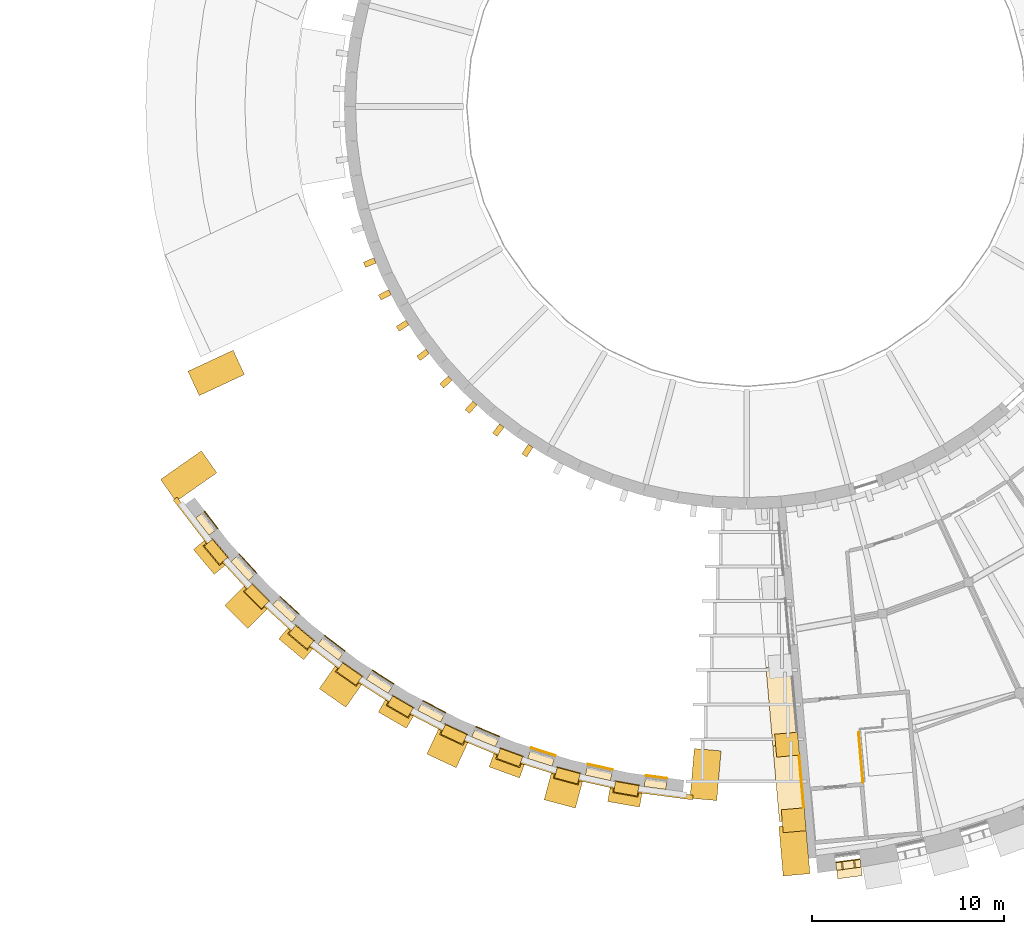
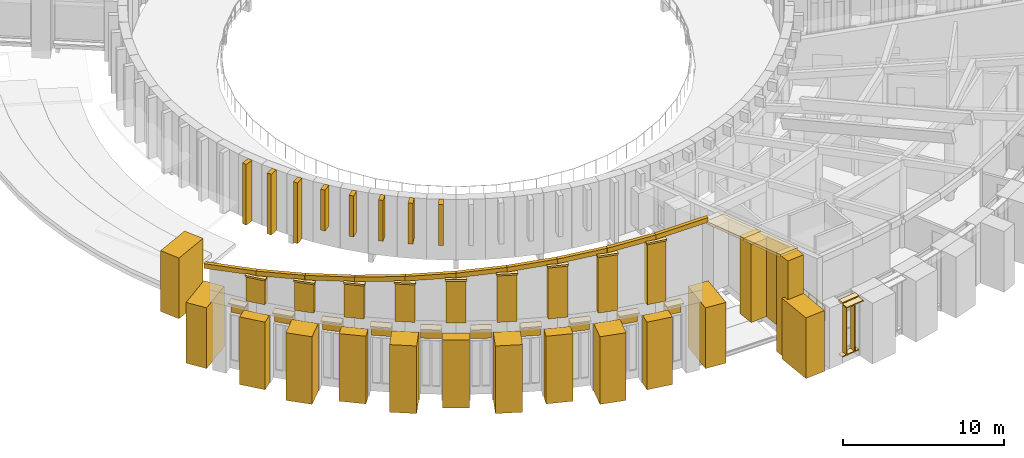
# One storey, part 35 of 50: 79 coverings, 1 railing.
"""IFC4 building model written with IfcOpenShell, lengths in metres."""

from ifc_helpers import new_model, si_unit, direction, frame, origin, origin_2d, place, context, subcontext, project, spatial, polyline, rectangle, circle, outline, extrude, material, layer, layer_set, type_object, element, save


model = new_model("IFC4")

# Units and contexts
model_context = context("Model", 3, precision=1e-05, world=origin(), true_north=direction((0.0, 1.0)))
body_context = subcontext(model_context, "Body", "Model", "MODEL_VIEW")
ifc_project = project(units=[si_unit("LENGTHUNIT", "METRE"), si_unit("AREAUNIT", "SQUARE_METRE"), si_unit("VOLUMEUNIT", "CUBIC_METRE"), si_unit("PLANEANGLEUNIT", "RADIAN"), si_unit("MASSUNIT", "GRAM", prefix="KILO")], contexts=[model_context])

# Site, building, storey
site_placement = place(None, origin())
site = spatial("IfcSite", under=ifc_project, at=site_placement, CompositionType="ELEMENT")
building_placement = place(site_placement, origin())
building = spatial("IfcBuilding", under=site, at=building_placement, Name="Volute Hill Aquarium", CompositionType="ELEMENT")
storey_placement = place(building_placement, frame((0.0, 0.0, 9.199951171875)))
storey = spatial("IfcBuildingStorey", under=building, at=storey_placement, Name="L03", CompositionType="ELEMENT", Elevation=9.199951171875)

# Coverings
ifc_material_1 = material(Name="Precast concrete C40/50", Category="concrete")
covering_type_1 = type_object("IfcCoveringType", Name="Crown coping beam precast concrete C40/50 250x350", PredefinedType="CLADDING", material=ifc_material_1)
covering_1_placement = place(storey_placement, frame((-27.773681640625, -23.312255859375, 7.984619140625), z_axis=(-0.737295574445, -0.67557030419, 0.0), x_axis=(0.671633922183, -0.73299953447, 0.107794049187)))
element("IfcCovering", 1, at=covering_1_placement, inside=storey, type_object=covering_type_1, Name="Crown coping beam PCB S2 b01", PredefinedType="CLADDING", context=body_context, shape_type="SweptSolid", body=[
    extrude(outline(polyline([(0.0, 0.0), (3.1708325049357056, 0.0), (3.2085709489136858, 0.3480577233130505), (0.037712127071440296, 0.34781500523542636), (0.0, 0.0)])), origin(), (0.0, 0.0, -1.0), 0.25),
])
covering_2_placement = place(storey_placement, frame((-25.636474609375, -25.64404296875, 8.326416015625), z_axis=(-0.67557030419, -0.737295574445, 0.0), x_axis=(0.732993448709, -0.671628345912, 0.107870149332)))
element("IfcCovering", 2, at=covering_2_placement, inside=storey, type_object=covering_type_1, Name="Crown coping beam PCB S2 b02", PredefinedType="CLADDING", context=body_context, shape_type="SweptSolid", body=[
    extrude(outline(polyline([(0.0, 0.0), (3.170858831131852, 0.0), (3.2086239175923357, 0.3480548335483582), (0.037765086460483516, 0.3480548335483582), (0.0, 0.0)])), origin(), (0.0, 0.0, -1.0), 0.25),
])
covering_3_placement = place(storey_placement, frame((-23.303955078125, -27.78076171875, 8.66845703125), z_axis=(-0.608737169464, -0.793371954706, 0.0), x_axis=(0.788749116674, -0.605190165664, 0.107794685996)))
element("IfcCovering", 3, at=covering_3_placement, inside=storey, type_object=covering_type_1, Name="Crown coping beam PCB S2 b03", PredefinedType="CLADDING", context=body_context, shape_type="SweptSolid", body=[
    extrude(outline(polyline([(0.0, 0.0), (3.170813772882256, -5.551115123125783e-17), (3.2085524398057004, 0.34805769913993345), (0.03773866692344462, 0.3480576991399335), (0.0, 0.0)])), origin(), (0.0, 0.0, -1.0), 0.25),
])
covering_4_placement = place(storey_placement, frame((-20.7939453125, -29.7060546875, 9.01025390625), z_axis=(-0.537281308725, -0.843403103679, 0.0), x_axis=(0.838482676216, -0.534146800807, 0.107861007197)))
element("IfcCovering", 4, at=covering_4_placement, inside=storey, type_object=covering_type_1, Name="Crown coping beam PCB S2 b04", PredefinedType="CLADDING", context=body_context, shape_type="SweptSolid", body=[
    extrude(outline(polyline([(0.0, 0.0), (3.171127588317578, 0.0), (3.2088894741378877, 0.34805518081338344), (0.03776188582030961, 0.3480551808133835), (0.0, 0.0)])), origin(), (0.0, 0.0, -1.0), 0.25),
])
covering_5_placement = place(storey_placement, frame((-18.12548828125, -31.4052734375, 9.352294921875), z_axis=(-0.461774507982, -0.886997352746, 0.0), x_axis=(0.881822649864, -0.459080536157, 0.107860444601)))
element("IfcCovering", 5, at=covering_5_placement, inside=storey, type_object=covering_type_1, Name="Crown coping beam PCB S2 b05", PredefinedType="CLADDING", context=body_context, shape_type="SweptSolid", body=[
    extrude(outline(polyline([(0.0, 0.0), (3.1711441287906896, 0.0), (3.2088794845312014, 0.34781248586315755), (0.03776168885686938, 0.3480552021826713), (0.0, 0.0)])), origin(), (0.0, 0.0, -1.0), 0.25),
])
covering_6_placement = place(storey_placement, frame((-15.3193359375, -32.86572265625, 9.6943359375), z_axis=(-0.382673279343, -0.923883737965, 0.0), x_axis=(0.918500283172, -0.380443448667, 0.107796160319)))
element("IfcCovering", 6, at=covering_6_placement, inside=storey, type_object=covering_type_1, Name="Crown coping beam PCB S2 b06", PredefinedType="CLADDING", context=body_context, shape_type="SweptSolid", body=[
    extrude(outline(polyline([(0.0, 0.0), (3.170770405827078, 5.551115123125783e-17), (3.208509588907368, 0.3480576431744827), (0.03771286565833744, 0.34781492515274315), (0.0, 0.0)])), origin(), (0.0, 0.0, -1.0), 0.25),
])
covering_7_placement = place(storey_placement, frame((-12.396728515625, -34.07568359375, 10.0361328125), z_axis=(-0.300712520585, -0.953714831574, 0.0), x_axis=(0.948150419924, -0.298958025218, 0.107865102583)))
element("IfcCovering", 7, at=covering_7_placement, inside=storey, type_object=covering_type_1, Name="Crown coping beam PCB S2 b07", PredefinedType="CLADDING", context=body_context, shape_type="SweptSolid", body=[
    extrude(outline(polyline([(0.0, 0.0), (3.1710071879900616, -5.551115123125783e-17), (3.2087441733420885, 0.34781230905721705), (0.037763319605586924, 0.3480550252533491), (0.0, 0.0)])), origin(), (0.0, 0.0, -1.0), 0.25),
])
covering_8_placement = place(storey_placement, frame((-9.379638671875, -35.026611328125, 10.378173828125), z_axis=(-0.216463020431, -0.976290817731, 0.0), x_axis=(0.970602283363, -0.215201759638, 0.107793367976)))
element("IfcCovering", 8, at=covering_8_placement, inside=storey, type_object=covering_type_1, Name="Crown coping beam PCB S2 b08", PredefinedType="CLADDING", context=body_context, shape_type="SweptSolid", body=[
    extrude(outline(polyline([(0.0, 0.0), (3.1708525433169394, 0.0), (3.2085907488046974, 0.3480577491714657), (0.03771188874752928, 0.34781503107580913), (0.0, 0.0)])), origin(), (0.0, 0.0, -1.0), 0.25),
])
covering_9_placement = place(storey_placement, frame((-27.58251953125, -23.151611328125, 7.984619140625), z_axis=(0.79337743611, 0.608730025439, 0.0), x_axis=(-0.605180867849, 0.788751704781, -0.107827943476)))
element("IfcCovering", 9, at=covering_9_placement, inside=storey, type_object=covering_type_1, Name="Crown coping beam PCB S2 bea", PredefinedType="CLADDING", context=body_context, shape_type="SweptSolid", body=[
    extrude(outline(polyline([(0.0, 0.0), (3.5230460700179997, 0.0), (3.485322084910431, 0.34781371931362354), (-0.03772398510756878, 0.34781371931362354), (0.0, 0.0)])), origin(), (0.0, 0.0, -1.0), 0.25),
])
covering_10_placement = place(storey_placement, frame((-6.291259765625, -35.7109375, 10.719970703125), z_axis=(-0.130492379433, -0.991449312325, 0.0), x_axis=(0.985668260734, -0.129731490128, 0.107832371068)))
element("IfcCovering", 10, at=covering_10_placement, inside=storey, type_object=covering_type_1, Name="Crown coping beam PCB S2 beb", PredefinedType="CLADDING", context=body_context, shape_type="SweptSolid", body=[
    extrude(outline(polyline([(0.0, 0.0), (3.5229014138978703, 0.0), (3.5606532742767154, 0.3480562683671699), (0.03775186037884506, 0.34805626836716985), (0.0, 0.0)])), origin(), (0.0, 0.0, -1.0), 0.25),
])
ifc_material_2 = material(Name="Precast pale concrete C40/50", Category="concrete")
covering_type_2 = type_object("IfcCoveringType", Name="Drum pier fin 300x600", PredefinedType="CLADDING", material=ifc_material_2)
for number, where, z_axis, x_axis, name in (
    (11, (-19.660400390625, -8.1435546875, 0.0), (0.0, 0.0, 1.0), (0.382683432365, -0.923879532511, 0.0), "Drum pier fin DF 41 L03"),
    (12, (-18.8759765625, -9.826171875, 0.0), (0.0, 0.0, 1.0), (0.461748613235, -0.887010833178, 0.0), "Drum pier fin DF 42 L03"),
    (13, (-17.947509765625, -11.433837890625, 0.0), (0.0, 0.0, 1.0), (0.537299608347, -0.843391445813, 0.0), "Drum pier fin DF 43 L03"),
):
    element("IfcCovering", number, at=place(storey_placement, frame(where, z_axis=z_axis, x_axis=x_axis)), inside=storey, type_object=covering_type_2, Name=name, PredefinedType="CLADDING", context=body_context, shape_type="SweptSolid", body=[
        extrude(rectangle(XDim=0.300048828125, YDim=0.60009765625, at=origin_2d()), origin(), (0.0, 0.0, 1.0), 4.60009765625),
    ])
for number, where, z_axis, x_axis, name in (
    (14, (-16.8828125, -12.95458984375, 1.5), (0.0, 0.0, 1.0), (0.608761429009, -0.793353340291, 0.0), "Drum pier fin DF 44 L03"),
    (15, (-15.689453125, -14.376708984375, 1.5), (0.0, 0.0, 1.0), (0.675590207616, -0.73727733681, 0.0), "Drum pier fin DF 45 L03"),
    (16, (-14.376708984375, -15.689453125, 1.5), (0.0, 0.0, 1.0), (0.73727733681, -0.675590207616, 0.0), "Drum pier fin DF 46 L03"),
    (17, (-12.95458984375, -16.8828125, 1.5), (0.0, 0.0, 1.0), (0.793353340291, -0.608761429009, 0.0), "Drum pier fin DF 47 L03"),
    (18, (-11.433837890625, -17.947509765625, 1.5), (0.0, 0.0, 1.0), (0.843391445813, -0.537299608347, 0.0), "Drum pier fin DF 48 L03"),
):
    element("IfcCovering", number, at=place(storey_placement, frame(where, z_axis=z_axis, x_axis=x_axis)), inside=storey, type_object=covering_type_2, Name=name, PredefinedType="CLADDING", context=body_context, shape_type="SweptSolid", body=[
        extrude(rectangle(XDim=0.300048828125, YDim=0.60009765625, at=origin_2d()), origin(), (0.0, 0.0, 1.0), 3.10009765625),
    ])
ifc_material_3 = material(Name="Precast concrete C40/50", Category="concrete")
covering_type_3 = type_object("IfcCoveringType", Name="End wall precast coping C40/50 1350x200", PredefinedType="CLADDING", material=ifc_material_3)
covering_11_placement = place(storey_placement, frame((1.00390625, -29.2587890625, 5.458984375), z_axis=(-0.996191588263, -0.087191280949, 0.0), x_axis=(0.084445892402, -0.96482454162, 0.248962838882)))
element("IfcCovering", 19, at=covering_11_placement, inside=storey, type_object=covering_type_3, Name="End wall coping EWC S3A L03 3", PredefinedType="CLADDING", context=body_context, shape_type="SweptSolid", body=[
    extrude(outline(polyline([(0.0, 0.0), (4.241228160256646, 0.0), (4.291008571644486, 0.19365531693254168), (0.049780411387840395, 0.1936553169325417), (0.0, 0.0)])), origin(), (0.0, 0.0, -1.0), 1.35009765625),
])
covering_12_placement = place(storey_placement, frame((1.362060546875, -33.350830078125, 6.514892578125), z_axis=(-0.996198804963, -0.087108788247, 0.0), x_axis=(0.084365735607, -0.964828540073, 0.248974518608)))
element("IfcCovering", 20, at=covering_12_placement, inside=storey, type_object=covering_type_3, Name="End wall coping EWC S3A L03 4", PredefinedType="CLADDING", context=body_context, shape_type="SweptSolid", body=[
    extrude(outline(polyline([(0.0, 0.0), (4.086096802445188, 0.0), (4.135940334002479, 0.19389116923900884), (0.0497827467627091, 0.19365471659359543), (0.0, 0.0)])), origin(), (0.0, 0.0, -1.0), 1.35009765625),
])
ifc_material_4 = material(Name="Precast concrete C40/50", Category="concrete")
covering_type_4 = type_object("IfcCoveringType", Name="End wall precast fin C40/50 1200x1200", PredefinedType="CLADDING", material=ifc_material_4)
covering_13_placement = place(storey_placement, frame((2.109130859375, -33.285400390625, 0.60009765625), z_axis=(0.0, 0.0, 1.0), x_axis=(0.0871544444, -0.996194811682, 0.0)))
element("IfcCovering", 21, at=covering_13_placement, inside=storey, type_object=covering_type_4, Name="End wall fin EWF S3A L03 4", PredefinedType="CLADDING", context=body_context, shape_type="SweptSolid", body=[
    extrude(rectangle(XDim=1.199951171875, YDim=1.199951171875, at=origin_2d()), origin(), (0.0, 0.0, 1.0), 5.914794921875),
])
covering_14_placement = place(storey_placement, frame((2.453857421875, -37.227783203125, 0.0), z_axis=(0.0, 0.0, 1.0), x_axis=(0.0871544444, -0.996194811682, 0.0)))
element("IfcCovering", 22, at=covering_14_placement, inside=storey, type_object=covering_type_4, Name="End wall fin EWF S3A L03 5", PredefinedType="CLADDING", context=body_context, shape_type="SweptSolid", body=[
    extrude(rectangle(XDim=1.199951171875, YDim=1.199951171875, at=origin_2d()), origin(), (0.0, 0.0, 1.0), 7.5322265625),
])
ifc_material_5 = material(Name="Precast concrete C40/50", Category="concrete")
ifc_layer_1 = layer(ifc_material_5, 0.050048828125)
ifc_layer_set_1 = layer_set([ifc_layer_1], Name="End wall precast infill panel C40/50 50")
covering_type_5 = type_object("IfcCoveringType", Name="End wall precast infill panel C40/50 50", PredefinedType="CLADDING", material=ifc_layer_set_1)
covering_15_placement = place(storey_placement, frame((2.709228515625, -33.835205078125, 0.60009765625), z_axis=(-0.996189583761, -0.087214180073, 0.0), x_axis=(0.087214180073, -0.996189583761, 0.0)))
element("IfcCovering", 23, at=covering_15_placement, inside=storey, type_object=covering_type_5, Name="End wall panel EWP S3A L03 4", PredefinedType="CLADDING", context=body_context, shape_type="SweptSolid", body=[
    extrude(outline(polyline([(0.0, 0.0), (2.75733275738977, 0.0), (2.75733275738977, 6.778076171875), (0.0, 6.069091796875), (0.0, 0.0)])), origin(), (0.0, 0.0, -1.0), 0.050048828125),
])

# Railing
ifc_material_6 = material(Name="Stainless steel 1.4301", Category="steel")
railing_type = type_object("IfcRailingType", Name="Guard 1100 stainless", PredefinedType="GUARDRAIL", material=ifc_material_6)
railing_placement = place(storey_placement, frame((6.06591796875, -35.255615234375, 0.0)))
element("IfcRailing", 24, at=railing_placement, inside=storey, type_object=railing_type, Name="gd/S3-A/L03/edge", PredefinedType="GUARDRAIL", context=body_context, shape_type="SweptSolid", body=[
    extrude(circle(Radius=0.02392578125, at=origin_2d()), frame((0.0, 0.0, 1.076171875), z_axis=(-0.087225186436, 0.996188620117, 0.0), x_axis=(-0.996188620117, -0.087225186436, 0.0)), (0.0, 0.0, 1.0), 2.600341796875),
    extrude(circle(Radius=0.02099609375, at=origin_2d()), origin(), (0.0, 0.0, 1.0), 1.052001953125),
    extrude(circle(Radius=0.02099609375, at=origin_2d()), frame((-0.07568359375, 0.863525390625, 0.0)), (0.0, 0.0, 1.0), 1.052001953125),
    extrude(circle(Radius=0.02099609375, at=origin_2d()), frame((-0.151123046875, 1.726806640625, 0.0)), (0.0, 0.0, 1.0), 1.052001953125),
    extrude(circle(Radius=0.02099609375, at=origin_2d()), frame((-0.226806640625, 2.59033203125, 0.0)), (0.0, 0.0, 1.0), 1.052001953125),
])

# Coverings
ifc_material_7 = material(Name="Aluminium, anodised", Category="aluminium")
ifc_layer_2 = layer(ifc_material_7, 0.080078125)
ifc_layer_set_2 = layer_set([ifc_layer_2], Name="Horizontal brise-soleil eyebrow 900x80")
covering_type_6 = type_object("IfcCoveringType", Name="Horizontal brise-soleil eyebrow 900x80", PredefinedType="CLADDING", material=ifc_layer_set_2)
covering_16_placement = place(storey_placement, frame((5.3349609375, -39.756103515625, 4.409912109375), z_axis=(0.0, 0.0, 1.0), x_axis=(0.991446923126, 0.130510530703, 0.0)))
element("IfcCovering", 25, at=covering_16_placement, inside=storey, type_object=covering_type_6, Name="Brise-soleil eyebrow BS S3 L03 1.1", PredefinedType="CLADDING", context=body_context, shape_type="SweptSolid", body=[
    extrude(rectangle(XDim=1.2890625, YDim=0.89990234375, at=origin_2d()), origin(), (0.0, 0.0, 1.0), 0.080078125),
])
ifc_material_8 = material(Name="Precast concrete C40/50", Category="concrete")
ifc_layer_3 = layer(ifc_material_8, 0.10009765625)
ifc_layer_set_3 = layer_set([ifc_layer_3], Name="Niche cap precast concrete C40/50 100")
covering_type_7 = type_object("IfcCoveringType", Name="Niche cap precast concrete C40/50 100", PredefinedType="CLADDING", material=ifc_layer_set_3)
covering_17_placement = place(storey_placement, frame((-28.17529296875, -21.745849609375, 5.022705078125), z_axis=(0.0, 0.0, 1.0), x_axis=(0.608762000874, -0.793352901483, 0.0)))
element("IfcCovering", 26, at=covering_17_placement, inside=storey, type_object=covering_type_7, Name="Niche cap NC S2 L03 1", PredefinedType="CLADDING", context=body_context, shape_type="SweptSolid", body=[
    extrude(rectangle(XDim=1.140869140625, YDim=0.550048828125, at=origin_2d()), origin(), (0.0, 0.0, 1.0), 0.10009765625),
])
for number, where, z_axis, x_axis, name in (
    (27, (-26.240478515625, -24.044921875, 5.022705078125), (0.0, 0.0, 1.0), (0.675588133266, -0.737279237596, 0.0), "Niche cap NC S2 L03 2"),
    (28, (-24.044921875, -26.240478515625, 5.022705078125), (0.0, 0.0, 1.0), (0.737279237596, -0.675588133266, 0.0), "Niche cap NC S2 L03 3"),
    (29, (-21.66650390625, -28.236328125, 5.022705078125), (0.0, 0.0, 1.0), (0.793352901483, -0.608762000874, 0.0), "Niche cap NC S2 L03 4"),
    (30, (-19.123046875, -30.01708984375, 5.022705078125), (0.0, 0.0, 1.0), (0.843398654513, -0.537288292787, 0.0), "Niche cap NC S2 L03 5"),
    (31, (-16.43408203125, -31.569580078125, 5.022705078125), (0.0, 0.0, 1.0), (0.887010398312, -0.461749448604, 0.0), "Niche cap NC S2 L03 6"),
    (32, (-13.6201171875, -32.8818359375, 5.022705078125), (0.0, 0.0, 1.0), (0.923881228242, -0.382679338483, 0.0), "Niche cap NC S2 L03 7"),
    (33, (-10.702392578125, -33.943603515625, 5.022705078125), (0.0, 0.0, 1.0), (0.953719223668, -0.300698590629, 0.0), "Niche cap NC S2 L03 8"),
    (34, (-7.703369140625, -34.747314453125, 5.022705078125), (0.0, 0.0, 1.0), (0.97629181159, -0.216458537884, 0.0), "Niche cap NC S2 L03 9"),
):
    element("IfcCovering", number, at=place(storey_placement, frame(where, z_axis=z_axis, x_axis=x_axis)), inside=storey, type_object=covering_type_7, Name=name, PredefinedType="CLADDING", context=body_context, shape_type="SweptSolid", body=[
        extrude(rectangle(XDim=1.341064453125, YDim=0.550048828125, at=origin_2d()), origin(), (0.0, 0.0, 1.0), 0.10009765625),
    ])
covering_18_placement = place(storey_placement, frame((-4.744873046875, -35.2734375, 5.022705078125), z_axis=(0.0, 0.0, 1.0), x_axis=(0.991444143013, -0.130531648595, 0.0)))
element("IfcCovering", 35, at=covering_18_placement, inside=storey, type_object=covering_type_7, Name="Niche cap NC S2 L03 10", PredefinedType="CLADDING", context=body_context, shape_type="SweptSolid", body=[
    extrude(rectangle(XDim=1.140869140625, YDim=0.550048828125, at=origin_2d()), origin(), (0.0, 0.0, 1.0), 0.10009765625),
])
ifc_material_9 = material(Name="Zinc")
ifc_layer_4 = layer(ifc_material_9, 0.050048828125)
ifc_layer_set_4 = layer_set([ifc_layer_4], Name="Niche head cladding panel 50")
covering_type_8 = type_object("IfcCoveringType", Name="Niche head cladding panel 50", PredefinedType="CLADDING", material=ifc_layer_set_4)
covering_19_placement = place(storey_placement, frame((-27.937255859375, -21.563232421875, 4.081787109375), z_axis=(0.0, 0.0, 1.0), x_axis=(0.608762000874, -0.793352901483, 0.0)))
element("IfcCovering", 36, at=covering_19_placement, inside=storey, type_object=covering_type_8, Name="Niche head cladding NF S2 L03 1", PredefinedType="CLADDING", context=body_context, shape_type="SweptSolid", body=[
    extrude(rectangle(XDim=1.140869140625, YDim=0.050048828125, at=origin_2d()), origin(), (0.0, 0.0, 1.0), 1.041015625),
])
covering_20_placement = place(storey_placement, frame((-26.019287109375, -23.84228515625, 4.0869140625), z_axis=(0.0, 0.0, 1.0), x_axis=(0.675588133266, -0.737279237596, 0.0)))
element("IfcCovering", 37, at=covering_20_placement, inside=storey, type_object=covering_type_8, Name="Niche head cladding NF S2 L03 2", PredefinedType="CLADDING", context=body_context, shape_type="SweptSolid", body=[
    extrude(rectangle(XDim=1.341064453125, YDim=0.050048828125, at=origin_2d()), origin(), (0.0, 0.0, 1.0), 1.035888671875),
])
for number, where, z_axis, x_axis, name in (
    (38, (-23.84228515625, -26.019287109375, 4.07958984375), (0.0, 0.0, 1.0), (0.737279237596, -0.675588133266, 0.0), "Niche head cladding NF S2 L03 3"),
    (39, (-21.48388671875, -27.998291015625, 4.07958984375), (0.0, 0.0, 1.0), (0.793352901483, -0.608762000874, 0.0), "Niche head cladding NF S2 L03 4"),
    (40, (-18.9619140625, -29.76416015625, 4.07958984375), (0.0, 0.0, 1.0), (0.843398654513, -0.537288292787, 0.0), "Niche head cladding NF S2 L03 5"),
    (41, (-16.295654296875, -31.303466796875, 4.07958984375), (0.0, 0.0, 1.0), (0.887010398312, -0.461749448604, 0.0), "Niche head cladding NF S2 L03 6"),
    (42, (-13.50537109375, -32.6044921875, 4.07958984375), (0.0, 0.0, 1.0), (0.923881228242, -0.382679338483, 0.0), "Niche head cladding NF S2 L03 7"),
    (43, (-10.612060546875, -33.657470703125, 4.07958984375), (0.0, 0.0, 1.0), (0.953719223668, -0.300698590629, 0.0), "Niche head cladding NF S2 L03 8"),
):
    element("IfcCovering", number, at=place(storey_placement, frame(where, z_axis=z_axis, x_axis=x_axis)), inside=storey, type_object=covering_type_8, Name=name, PredefinedType="CLADDING", context=body_context, shape_type="SweptSolid", body=[
        extrude(rectangle(XDim=1.341064453125, YDim=0.050048828125, at=origin_2d()), origin(), (0.0, 0.0, 1.0), 1.043212890625),
    ])
covering_21_placement = place(storey_placement, frame((-7.638427734375, -34.454345703125, 4.0869140625), z_axis=(0.0, 0.0, 1.0), x_axis=(0.97629181159, -0.216458537884, 0.0)))
element("IfcCovering", 44, at=covering_21_placement, inside=storey, type_object=covering_type_8, Name="Niche head cladding NF S2 L03 9", PredefinedType="CLADDING", context=body_context, shape_type="SweptSolid", body=[
    extrude(rectangle(XDim=1.341064453125, YDim=0.050048828125, at=origin_2d()), origin(), (0.0, 0.0, 1.0), 1.035888671875),
])
covering_22_placement = place(storey_placement, frame((-4.70556640625, -34.97607421875, 4.081787109375), z_axis=(0.0, 0.0, 1.0), x_axis=(0.991444143013, -0.130531648595, 0.0)))
element("IfcCovering", 45, at=covering_22_placement, inside=storey, type_object=covering_type_8, Name="Niche head cladding NF S2 L03 10", PredefinedType="CLADDING", context=body_context, shape_type="SweptSolid", body=[
    extrude(rectangle(XDim=1.140869140625, YDim=0.050048828125, at=origin_2d()), origin(), (0.0, 0.0, 1.0), 1.041015625),
])
ifc_material_10 = material(Name="Precast concrete C40/50", Category="concrete")
ifc_layer_5 = layer(ifc_material_10, 0.1201171875)
ifc_layer_set_5 = layer_set([ifc_layer_5], Name="Pier crown coping precast concrete C40/50 1344x650")
covering_type_9 = type_object("IfcCoveringType", Name="Pier crown coping precast concrete C40/50 1344x650", PredefinedType="CLADDING", material=ifc_layer_set_5)
for number, where, z_axis, x_axis, name in (
    (46, (-27.681640625, -23.227783203125, 7.864501953125), (0.0, 0.0, 1.0), (0.642787609687, -0.766044443119, 0.0), "Pier crown coping PCC S2 1"),
    (47, (-25.552001953125, -25.552001953125, 8.20654296875), (0.0, 0.0, 1.0), (0.707106781187, -0.707106781187, 0.0), "Pier crown coping PCC S2 2"),
    (48, (-23.227783203125, -27.681640625, 8.54833984375), (0.0, 0.0, 1.0), (0.766044443119, -0.642787609687, 0.0), "Pier crown coping PCC S2 3"),
    (49, (-20.726806640625, -29.6005859375, 8.890380859375), (0.0, 0.0, 1.0), (0.819152044289, -0.573576436351, 0.0), "Pier crown coping PCC S2 4"),
    (50, (-18.06787109375, -31.29443359375, 9.232177734375), (0.0, 0.0, 1.0), (0.866025403784, -0.5, 0.0), "Pier crown coping PCC S2 5"),
    (51, (-15.271484375, -32.750244140625, 9.57421875), (0.0, 0.0, 1.0), (0.906307787037, -0.422618261741, 0.0), "Pier crown coping PCC S2 6"),
    (52, (-12.359130859375, -33.95654296875, 9.916015625), (0.0, 0.0, 1.0), (0.939692620786, -0.342020143326, 0.0), "Pier crown coping PCC S2 7"),
    (53, (-9.3525390625, -34.904541015625, 10.258056640625), (0.0, 0.0, 1.0), (0.965925826289, -0.258819045103, 0.0), "Pier crown coping PCC S2 8"),
    (54, (-6.27490234375, -35.5869140625, 10.599853515625), (0.0, 0.0, 1.0), (0.984807753012, -0.173648177667, 0.0), "Pier crown coping PCC S2 9"),
):
    element("IfcCovering", number, at=place(storey_placement, frame(where, z_axis=z_axis, x_axis=x_axis)), inside=storey, type_object=covering_type_9, Name=name, PredefinedType="CLADDING", context=body_context, shape_type="SweptSolid", body=[
        extrude(rectangle(XDim=1.344482421875, YDim=0.64990234375, at=origin_2d()), origin(), (0.0, 0.0, 1.0), 0.1201171875),
    ])
ifc_material_11 = material(Name="Precast concrete C40/50", Category="concrete")
covering_type_10 = type_object("IfcCoveringType", Name="Pier crown fin precast concrete C40/50 1244x550", PredefinedType="CLADDING", material=ifc_material_11)
covering_23_placement = place(storey_placement, frame((-27.681640625, -23.227783203125, 6.0224609375), z_axis=(0.0, 0.0, 1.0), x_axis=(0.642787609687, -0.766044443119, 0.0)))
element("IfcCovering", 55, at=covering_23_placement, inside=storey, type_object=covering_type_10, Name="Pier crown fin PC S2 1", PredefinedType="CLADDING", context=body_context, shape_type="SweptSolid", body=[
    extrude(rectangle(XDim=1.244384765625, YDim=0.550048828125, at=origin_2d()), origin(), (0.0, 0.0, 1.0), 1.842041015625),
])
covering_24_placement = place(storey_placement, frame((-25.552001953125, -25.552001953125, 6.0224609375), z_axis=(0.0, 0.0, 1.0), x_axis=(0.707106781187, -0.707106781187, 0.0)))
element("IfcCovering", 56, at=covering_24_placement, inside=storey, type_object=covering_type_10, Name="Pier crown fin PC S2 2", PredefinedType="CLADDING", context=body_context, shape_type="SweptSolid", body=[
    extrude(rectangle(XDim=1.244384765625, YDim=0.550048828125, at=origin_2d()), origin(), (0.0, 0.0, 1.0), 2.183837890625),
])
covering_25_placement = place(storey_placement, frame((-23.227783203125, -27.681640625, 6.022705078125), z_axis=(0.0, 0.0, 1.0), x_axis=(0.766044443119, -0.642787609687, 0.0)))
element("IfcCovering", 57, at=covering_25_placement, inside=storey, type_object=covering_type_10, Name="Pier crown fin PC S2 3", PredefinedType="CLADDING", context=body_context, shape_type="SweptSolid", body=[
    extrude(rectangle(XDim=1.244384765625, YDim=0.550048828125, at=origin_2d()), origin(), (0.0, 0.0, 1.0), 2.52587890625),
])
covering_26_placement = place(storey_placement, frame((-20.726806640625, -29.6005859375, 6.022705078125), z_axis=(0.0, 0.0, 1.0), x_axis=(0.819152044289, -0.573576436351, 0.0)))
element("IfcCovering", 58, at=covering_26_placement, inside=storey, type_object=covering_type_10, Name="Pier crown fin PC S2 4", PredefinedType="CLADDING", context=body_context, shape_type="SweptSolid", body=[
    extrude(rectangle(XDim=1.244384765625, YDim=0.550048828125, at=origin_2d()), origin(), (0.0, 0.0, 1.0), 2.86767578125),
])
covering_27_placement = place(storey_placement, frame((-18.06787109375, -31.29443359375, 6.0224609375), z_axis=(0.0, 0.0, 1.0), x_axis=(0.866025403784, -0.5, 0.0)))
element("IfcCovering", 59, at=covering_27_placement, inside=storey, type_object=covering_type_10, Name="Pier crown fin PC S2 5", PredefinedType="CLADDING", context=body_context, shape_type="SweptSolid", body=[
    extrude(rectangle(XDim=1.244384765625, YDim=0.550048828125, at=origin_2d()), origin(), (0.0, 0.0, 1.0), 3.209716796875),
])
covering_28_placement = place(storey_placement, frame((-15.271484375, -32.750244140625, 6.0224609375), z_axis=(0.0, 0.0, 1.0), x_axis=(0.906307787037, -0.422618261741, 0.0)))
element("IfcCovering", 60, at=covering_28_placement, inside=storey, type_object=covering_type_10, Name="Pier crown fin PC S2 6", PredefinedType="CLADDING", context=body_context, shape_type="SweptSolid", body=[
    extrude(rectangle(XDim=1.244384765625, YDim=0.550048828125, at=origin_2d()), origin(), (0.0, 0.0, 1.0), 3.551513671875),
])
covering_29_placement = place(storey_placement, frame((-12.359130859375, -33.95654296875, 6.022705078125), z_axis=(0.0, 0.0, 1.0), x_axis=(0.939692620786, -0.342020143326, 0.0)))
element("IfcCovering", 61, at=covering_29_placement, inside=storey, type_object=covering_type_10, Name="Pier crown fin PC S2 7", PredefinedType="CLADDING", context=body_context, shape_type="SweptSolid", body=[
    extrude(rectangle(XDim=1.244384765625, YDim=0.550048828125, at=origin_2d()), origin(), (0.0, 0.0, 1.0), 3.8935546875),
])
covering_30_placement = place(storey_placement, frame((-9.3525390625, -34.904541015625, 6.022705078125), z_axis=(0.0, 0.0, 1.0), x_axis=(0.965925826289, -0.258819045103, 0.0)))
element("IfcCovering", 62, at=covering_30_placement, inside=storey, type_object=covering_type_10, Name="Pier crown fin PC S2 8", PredefinedType="CLADDING", context=body_context, shape_type="SweptSolid", body=[
    extrude(rectangle(XDim=1.244384765625, YDim=0.550048828125, at=origin_2d()), origin(), (0.0, 0.0, 1.0), 4.2353515625),
])
covering_31_placement = place(storey_placement, frame((-6.27490234375, -35.5869140625, 6.0224609375), z_axis=(0.0, 0.0, 1.0), x_axis=(0.984807753012, -0.173648177667, 0.0)))
element("IfcCovering", 63, at=covering_31_placement, inside=storey, type_object=covering_type_10, Name="Pier crown fin PC S2 9", PredefinedType="CLADDING", context=body_context, shape_type="SweptSolid", body=[
    extrude(rectangle(XDim=1.244384765625, YDim=0.550048828125, at=origin_2d()), origin(), (0.0, 0.0, 1.0), 4.577392578125),
])
ifc_material_12 = material(Name="Precast concrete C40/50", Category="concrete")
covering_type_11 = type_object("IfcCoveringType", Name="Projecting pier precast concrete C40/50 1689x1500", PredefinedType="CLADDING", material=ifc_material_12)
for number, where, z_axis, x_axis, name in (
    (64, (-26.099853515625, -26.099853515625, 0.0), (0.0, 0.0, 1.0), (0.707106781187, -0.707106781187, 0.0), "Projecting pier PP S2 L03 2"),
    (65, (-21.171142578125, -30.235595703125, 0.0), (0.0, 0.0, 1.0), (0.819152044289, -0.573576436351, 0.0), "Projecting pier PP S2 L03 4"),
    (66, (-15.59912109375, -33.452392578125, 0.0), (0.0, 0.0, 1.0), (0.906307787037, -0.422618261741, 0.0), "Projecting pier PP S2 L03 6"),
    (67, (-9.55322265625, -35.653076171875, 0.0), (0.0, 0.0, 1.0), (0.965925826289, -0.258819045103, 0.0), "Projecting pier PP S2 L03 8"),
):
    element("IfcCovering", number, at=place(storey_placement, frame(where, z_axis=z_axis, x_axis=x_axis)), inside=storey, type_object=covering_type_11, Name=name, PredefinedType="CLADDING", context=body_context, shape_type="SweptSolid", body=[
        extrude(rectangle(XDim=1.688720703125, YDim=1.5, at=origin_2d()), origin(), (0.0, 0.0, 1.0), 5.12255859375),
    ])
ifc_material_13 = material(Name="Precast concrete C40/50", Category="concrete")
covering_type_12 = type_object("IfcCoveringType", Name="Projecting pier precast concrete C40/50 1689x800", PredefinedType="CLADDING", material=ifc_material_13)
for number, where, z_axis, x_axis, name in (
    (68, (-28.007080078125, -23.5009765625, 0.0), (0.0, 0.0, 1.0), (0.642787609687, -0.766044443119, 0.0), "Projecting pier PP S2 L03 1"),
    (69, (-23.5009765625, -28.007080078125, 0.0), (0.0, 0.0, 1.0), (0.766044443119, -0.642787609687, 0.0), "Projecting pier PP S2 L03 3"),
    (70, (-18.280517578125, -31.66259765625, 0.0), (0.0, 0.0, 1.0), (0.866025403784, -0.5, 0.0), "Projecting pier PP S2 L03 5"),
    (71, (-12.50439453125, -34.35595703125, 0.0), (0.0, 0.0, 1.0), (0.939692620786, -0.342020143326, 0.0), "Projecting pier PP S2 L03 7"),
    (72, (-6.3486328125, -36.00537109375, 0.0), (0.0, 0.0, 1.0), (0.984807753012, -0.173648177667, 0.0), "Projecting pier PP S2 L03 9"),
):
    element("IfcCovering", number, at=place(storey_placement, frame(where, z_axis=z_axis, x_axis=x_axis)), inside=storey, type_object=covering_type_12, Name=name, PredefinedType="CLADDING", context=body_context, shape_type="SweptSolid", body=[
        extrude(rectangle(XDim=1.688720703125, YDim=0.800048828125, at=origin_2d()), origin(), (0.0, 0.0, 1.0), 5.12255859375),
    ])
ifc_material_14 = material(Name="Precast concrete C40/50", Category="concrete")
covering_type_13 = type_object("IfcCoveringType", Name="Step pylon precast concrete C40/50 1400x2600", PredefinedType="CLADDING", material=ifc_material_14)
for number, where, z_axis, x_axis, name in (
    (73, (-27.669921875, -13.895751953125, 0.0), (0.0, 0.0, 1.0), (-0.906307787037, -0.422618261741, 0.0), "Step pylon SPY S1B L03"),
    (74, (-29.104736328125, -19.280517578125, 0.0), (0.0, 0.0, 1.0), (-0.819152044289, -0.573576436351, 0.0), "Step pylon SPY S2A L03"),
    (75, (-2.14501953125, -34.845703125, 0.0), (0.0, 0.0, 1.0), (-0.087155742748, -0.996194698092, 0.0), "Step pylon SPY S2B L03"),
    (76, (2.489501953125, -38.78076171875, 0.0), (0.0, 0.0, 1.0), (0.087155742748, -0.996194698092, 0.0), "Step pylon SPY S3A L03"),
):
    element("IfcCovering", number, at=place(storey_placement, frame(where, z_axis=z_axis, x_axis=x_axis)), inside=storey, type_object=covering_type_13, Name=name, PredefinedType="CLADDING", context=body_context, shape_type="SweptSolid", body=[
        extrude(rectangle(XDim=2.60009765625, YDim=1.39990234375, at=origin_2d()), origin(), (0.0, 0.0, 1.0), 4.60009765625),
    ])
ifc_material_15 = material(Name="Timber, thermally modified ash", Category="wood")
covering_type_14 = type_object("IfcCoveringType", Name="Timber louvre fin 60x400", PredefinedType="CLADDING", material=ifc_material_15)
for number, where, z_axis, x_axis, name in (
    (77, (4.9892578125, -39.599853515625, 0.5302734375), (0.0, 0.0, 1.0), (0.991446923126, 0.130510530703, 0.0), "Timber louvre fin S3 L03 1.1.1"),
    (78, (5.62841796875, -39.515625, 0.5302734375), (0.0, 0.0, 1.0), (0.991446923126, 0.130510530703, 0.0), "Timber louvre fin S3 L03 1.1.2"),
):
    element("IfcCovering", number, at=place(storey_placement, frame(where, z_axis=z_axis, x_axis=x_axis)), inside=storey, type_object=covering_type_14, Name=name, PredefinedType="CLADDING", context=body_context, shape_type="SweptSolid", body=[
        extrude(rectangle(XDim=0.06005859375, YDim=0.39990234375, at=origin_2d()), origin(), (0.0, 0.0, 1.0), 3.989990234375),
    ])
ifc_material_16 = material(Name="Timber, thermally modified ash", Category="wood")
covering_type_15 = type_object("IfcCoveringType", Name="Timber louvre fin rail 400x80", PredefinedType="CLADDING", material=ifc_material_16)
for number, where, z_axis, x_axis, name in (
    (79, (5.308837890625, -39.5576171875, 0.449951171875), (0.0, 0.0, 1.0), (0.991446923126, 0.130510530703, 0.0), "Timber louvre fin rail S3 L03 1.1"),
    (80, (5.308837890625, -39.5576171875, 4.52001953125), (0.0, 0.0, 1.0), (0.991446923126, 0.130510530703, 0.0), "Timber louvre fin rail S3 L03 1.2"),
):
    element("IfcCovering", number, at=place(storey_placement, frame(where, z_axis=z_axis, x_axis=x_axis)), inside=storey, type_object=covering_type_15, Name=name, PredefinedType="CLADDING", context=body_context, shape_type="SweptSolid", body=[
        extrude(rectangle(XDim=1.2890625, YDim=0.39990234375, at=origin_2d()), origin(), (0.0, 0.0, 1.0), 0.080078125),
    ])

save(model, "model.ifc")
